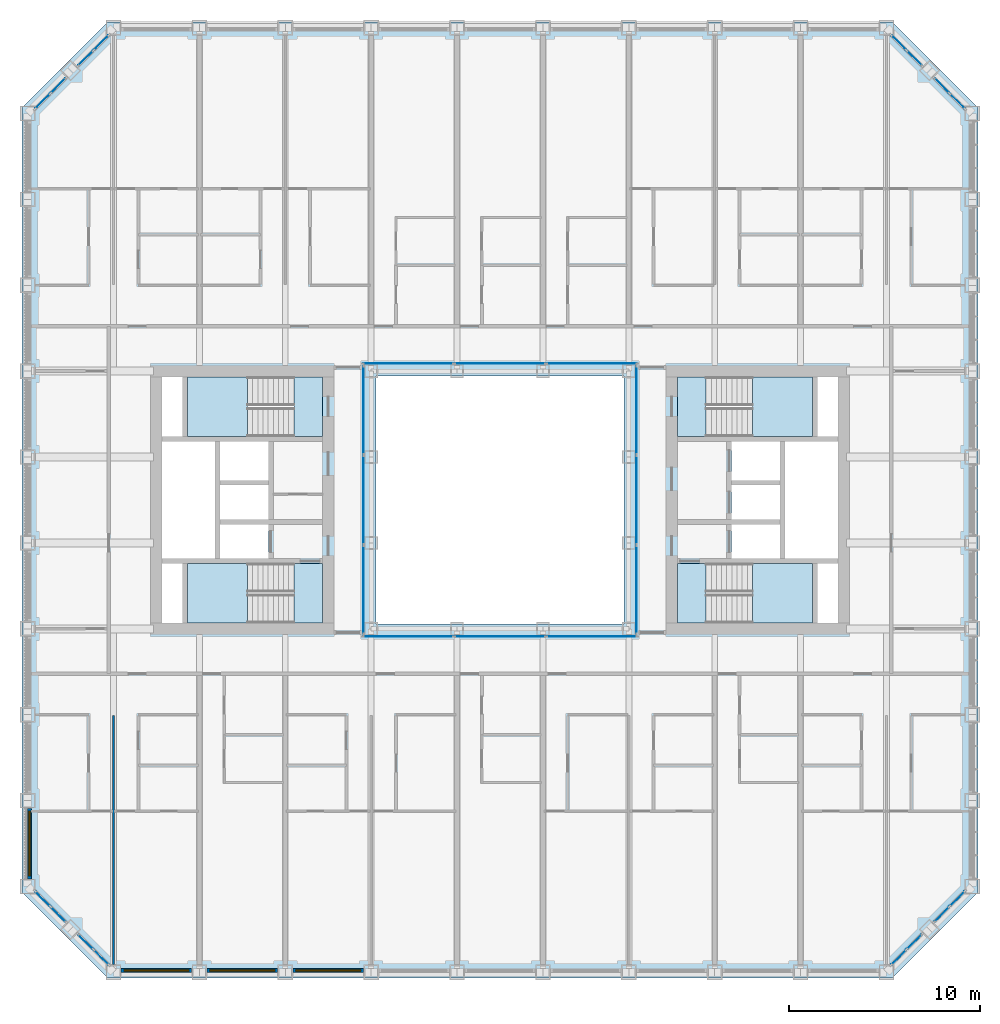
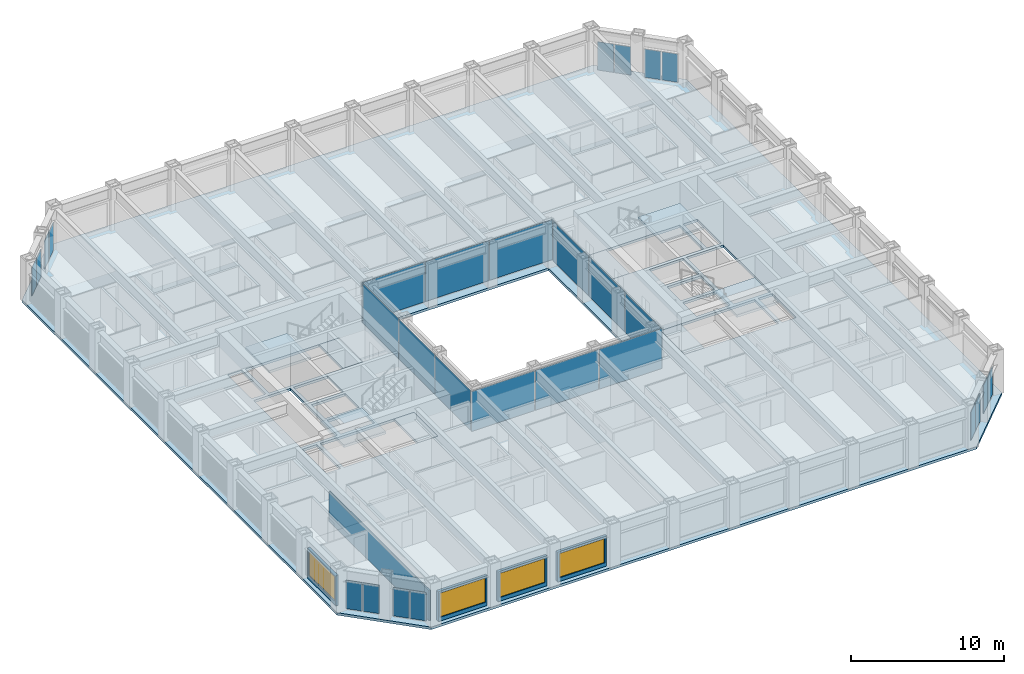
# One storey, part 8 of 21: 28 plates, 9 slabs, 5 walls, 4 windows, 4 openings, 16 elements without a shape of their own.
"""IFC4 building model written with IfcOpenShell, lengths in metres."""

import ifcopenshell
import ifcopenshell.guid

model = None  # the IFC model being written
_history = None  # IfcOwnerHistory: only IFC2X3 demands one
_inside = {}  # id of a spatial element -> (the spatial element, [elements in it])
_under = {}  # id of a project, library or spatial element -> (it, [spatial elements below it])
_declared = {}  # id of a project -> (the project, [libraries it declares])
_typed = {}  # id of a type object -> (the type object, [elements of that type])
_made_of = {}  # id of a material, layer set ... -> (it, [elements and type objects made of it])


def new_model(schema):
    """Start an empty IFC model of exactly this schema.

    Asked for "IFC4X3", IfcOpenShell would pick the latest addendum, in which some entities
    have other attributes; the version numbers below select the first issue.
    IFC2X3 requires an IfcOwnerHistory on every rooted entity: one is made here for all.
    """
    global model, _history
    if schema == "IFC4X3":
        model = ifcopenshell.file(schema_version=(4, 3, 0, 0))
    else:
        model = ifcopenshell.file(schema=schema)
    _inside.clear()
    _under.clear()
    _declared.clear()
    _typed.clear()
    _made_of.clear()
    _history = None
    if model.schema == "IFC2X3":
        org = make("IfcOrganization", Name="unknown")
        user = make(
            "IfcPersonAndOrganization",
            ThePerson=make("IfcPerson", FamilyName="unknown"),
            TheOrganization=org,
        )
        app = make(
            "IfcApplication",
            ApplicationDeveloper=org,
            Version="unknown",
            ApplicationFullName="unknown",
            ApplicationIdentifier="unknown",
        )
        _history = make(
            "IfcOwnerHistory",
            OwningUser=user,
            OwningApplication=app,
            ChangeAction="ADDED",
            CreationDate=0,
        )
    return model


def make(cls, **values):
    """One entity of the class cls with the attributes given. An attribute that is None is left unset."""
    return model.create_entity(
        cls, **{name: value for name, value in values.items() if value is not None}
    )


def rooted(cls, **values):
    """An entity with a GlobalId (a new one), such as an element, a storey or a relation."""
    return make(cls, GlobalId=ifcopenshell.guid.new(), OwnerHistory=_history, **values)


def si_unit(unit_type, name, prefix=None):
    """IfcSIUnit, for example si_unit("LENGTHUNIT", "METRE", prefix="MILLI")."""
    return make("IfcSIUnit", UnitType=unit_type, Prefix=prefix, Name=name)


def assignment(units):
    """IfcUnitAssignment: the units of a project."""
    return None if units is None else make("IfcUnitAssignment", Units=units)


def point(xyz):
    """IfcCartesianPoint."""
    return None if xyz is None else make("IfcCartesianPoint", Coordinates=xyz)


def direction(xyz):
    """IfcDirection."""
    return None if xyz is None else make("IfcDirection", DirectionRatios=xyz)


def frame(location, z_axis=None, x_axis=None):
    """IfcAxis2Placement3D, a coordinate frame: its origin and axes. An axis left out is left unset."""
    return make(
        "IfcAxis2Placement3D",
        Location=point(location),
        Axis=direction(z_axis),
        RefDirection=direction(x_axis),
    )


def frame_2d(location, x_axis=None):
    """IfcAxis2Placement2D, a coordinate frame in the plane: its origin and x axis."""
    return make(
        "IfcAxis2Placement2D", Location=point(location), RefDirection=direction(x_axis)
    )


def origin():
    """The frame at (0, 0, 0) with its axes left unset."""
    return frame((0.0, 0.0, 0.0))


def origin_2d():
    """The frame at (0, 0) in the plane with its x axis left unset."""
    return frame_2d((0.0, 0.0))


def place(relative_to, where):
    """IfcLocalPlacement: puts the frame where relative to a parent placement (None: the world)."""
    return make(
        "IfcLocalPlacement", PlacementRelTo=relative_to, RelativePlacement=where
    )


def context(
    kind, dimensions, precision=None, world=None, true_north=None, identifier=None
):
    """IfcGeometricRepresentationContext, for example the 3D "Model" context."""
    return make(
        "IfcGeometricRepresentationContext",
        ContextIdentifier=identifier,
        ContextType=kind,
        CoordinateSpaceDimension=dimensions,
        Precision=precision,
        WorldCoordinateSystem=world,
        TrueNorth=true_north,
    )


def subcontext(parent, identifier, kind, view, scale=None):
    """IfcGeometricRepresentationSubContext, for example "Body" below "Model"."""
    return make(
        "IfcGeometricRepresentationSubContext",
        ContextIdentifier=identifier,
        ContextType=kind,
        ParentContext=parent,
        TargetScale=scale,
        TargetView=view,
    )


def project(units=None, contexts=None):
    """IfcProject with its units and contexts."""
    return rooted(
        "IfcProject",
        Name="project",
        RepresentationContexts=contexts,
        UnitsInContext=assignment(units),
    )


def spatial(cls, under=None, at=None, **own):
    """A site, building, storey or space (cls), placed at a placement, below another one or the project."""
    s = rooted(cls, ObjectPlacement=at, **own)
    if under is not None:
        _under.setdefault(under.id(), (under, []))[1].append(s)
    return s


def polyline(points):
    """IfcPolyline through the points."""
    return make("IfcPolyline", Points=[point(p) for p in points])


def profile(cls, at=None, kind="AREA", **sizes):
    """A parametric profile (cls). Its sizes go by their IFC names, for example OverallWidth=200.0."""
    return make(cls, ProfileType=kind, Position=at, **sizes)


def rectangle(**sizes):
    """IfcRectangleProfileDef."""
    return profile("IfcRectangleProfileDef", **sizes)


def outline(outer, holes=None, kind="AREA"):
    """IfcArbitraryClosedProfileDef: a profile drawn as a closed curve; with holes, ...WithVoids."""
    if holes is None:
        return make("IfcArbitraryClosedProfileDef", ProfileType=kind, OuterCurve=outer)
    return make(
        "IfcArbitraryProfileDefWithVoids",
        ProfileType=kind,
        OuterCurve=outer,
        InnerCurves=holes,
    )


def extrude(swept, where, along, depth):
    """IfcExtrudedAreaSolid: the profile swept, set in the frame where, extruded along a direction by depth."""
    return make(
        "IfcExtrudedAreaSolid",
        SweptArea=swept,
        Position=where,
        ExtrudedDirection=direction(along),
        Depth=depth,
    )


def shape(context_of_items, identifier, shape_type, items):
    """IfcShapeRepresentation: the items that make up one representation, for example the "Body"."""
    return make(
        "IfcShapeRepresentation",
        ContextOfItems=context_of_items,
        RepresentationIdentifier=identifier,
        RepresentationType=shape_type,
        Items=items,
    )


def material(Name=None, Category=None):
    """IfcMaterial."""
    return make("IfcMaterial", Name=Name, Category=Category)


def layer(
    of_material, thickness, ventilated=None, Name=None, Category=None, Priority=None
):
    """IfcMaterialLayer: one layer of a wall or slab, of a material (None: an air gap)."""
    return make(
        "IfcMaterialLayer",
        Material=of_material,
        LayerThickness=thickness,
        IsVentilated=ventilated,
        Name=Name,
        Category=Category,
        Priority=Priority,
    )


def layer_set(layers, Name=None):
    """IfcMaterialLayerSet."""
    return make("IfcMaterialLayerSet", MaterialLayers=layers, LayerSetName=Name)


def made_of(thing, what):
    """Note that an element or type object is made of a material, layer set ...; save() writes the relation."""
    if what is not None:
        _made_of.setdefault(what.id(), (what, []))[1].append(thing)
    return thing


def type_object(cls, material=None, **own):
    """A type object (cls), such as IfcWallType, which elements share."""
    return made_of(rooted(cls, **own), material)


def element(
    cls,
    number,
    at=None,
    inside=None,
    cuts=None,
    type_object=None,
    material=None,
    context=None,
    identifier="Body",
    shape_type=None,
    held_by="IfcProductDefinitionShape",
    body=None,
    shapes=None,
    **own,
):
    """One element of the class cls, such as IfcWall. Its Tag is "e" and its number.

    at: its placement. inside: the storey or other place that contains it. cuts: it is an
    opening in that element (IfcRelVoidsElement). A single representation is given by context,
    identifier, shape_type and body (its items); several are given by shapes. held_by: the class
    of the entity that holds the representations. save() writes the other relations.
    """
    e = rooted(cls, Tag="e%d" % number, ObjectPlacement=at, **own)
    if body is not None:
        shapes = [shape(context, identifier, shape_type, body)]
    if shapes is not None:
        e.Representation = make(held_by, Representations=shapes)
    if inside is not None:
        _inside.setdefault(inside.id(), (inside, []))[1].append(e)
    if cuts is not None:
        rooted(
            "IfcRelVoidsElement", RelatingBuildingElement=cuts, RelatedOpeningElement=e
        )
    if type_object is not None:
        _typed.setdefault(type_object.id(), (type_object, []))[1].append(e)
    return made_of(e, material)


def fill(opening, filler):
    """IfcRelFillsElement: the door or window that sits in an opening."""
    return rooted(
        "IfcRelFillsElement",
        RelatingOpeningElement=opening,
        RelatedBuildingElement=filler,
    )


def aggregate(whole, parts):
    """IfcRelAggregates: a whole, such as a stair, and the parts it consists of."""
    return rooted("IfcRelAggregates", RelatingObject=whole, RelatedObjects=parts)


def save(model, path):
    """Write the relations noted so far, then the file.

    IfcRelAggregates (storeys below a building ...), IfcRelContainedInSpatialStructure (elements
    in a storey), IfcRelDefinesByType, IfcRelAssociatesMaterial and IfcRelDeclares: one each for
    every whole, place, type object, material and project.
    """
    for whole, parts in _under.values():
        aggregate(whole, parts)
    for where, things in _inside.values():
        rooted(
            "IfcRelContainedInSpatialStructure",
            RelatedElements=things,
            RelatingStructure=where,
        )
    for kind, things in _typed.values():
        rooted("IfcRelDefinesByType", RelatedObjects=things, RelatingType=kind)
    for what, things in _made_of.values():
        rooted("IfcRelAssociatesMaterial", RelatedObjects=things, RelatingMaterial=what)
    for by, libraries in _declared.values():
        rooted("IfcRelDeclares", RelatingContext=by, RelatedDefinitions=libraries)
    model.write(path)


model = new_model("IFC4")

# Units and contexts
model_context = context("Model", 3, precision=1e-05, world=origin(), true_north=direction((0.0, 1.0)))
body_context = subcontext(model_context, "Body", "Model", "MODEL_VIEW")
ifc_project = project(units=[si_unit("LENGTHUNIT", "METRE"), si_unit("AREAUNIT", "SQUARE_METRE"), si_unit("VOLUMEUNIT", "CUBIC_METRE"), si_unit("PLANEANGLEUNIT", "RADIAN"), si_unit("MASSUNIT", "GRAM", prefix="KILO")], contexts=[model_context])

# Site, building, storey
site_placement = place(None, origin())
site = spatial("IfcSite", under=ifc_project, at=site_placement, CompositionType="ELEMENT")
building_placement = place(site_placement, origin())
building = spatial("IfcBuilding", under=site, at=building_placement, Name="Msasa Ring Tower", CompositionType="ELEMENT")
storey_placement = place(building_placement, frame((0.0, 0.0, 40.5)))
storey = spatial("IfcBuildingStorey", under=building, at=storey_placement, Name="L09", CompositionType="ELEMENT", Elevation=40.5)

# Curtain wall, plates
ifc_material_1 = material(Name="Aluminium curtain wall with clear glass", Category="aluminium")
curtain_wall_type_1 = type_object("IfcCurtainWallType", Name="CW-C CHAMFER CORNER CURTAIN WALL", PredefinedType="NOTDEFINED", material=ifc_material_1)
curtain_wall_1_placement = place(storey_placement, origin())
curtain_wall_1 = element("IfcCurtainWall", 1, at=curtain_wall_1_placement, inside=storey, type_object=curtain_wall_type_1, Name="Chamfer corner curtain wall SE L09", PredefinedType="NOTDEFINED")
ifc_material_2 = material(Name="Clear laminated insulating glass unit", Category="glass")
ifc_layer_1 = layer(ifc_material_2, 0.031982421875)
ifc_layer_set_1 = layer_set([ifc_layer_1], Name="CW-C GLASS PANEL 32")
plate_type_1 = type_object("IfcPlateType", Name="CW-C GLASS PANEL 32", PredefinedType="CURTAIN_PANEL", material=ifc_layer_set_1)
plate_1_placement = place(storey_placement, frame((20.896484375, -23.962158203125, 0.06494140625), z_axis=(0.0, 0.0, 1.0), x_axis=(0.707106781187, 0.707106781187, 0.0)))
plate_1 = element("IfcPlate", 2, at=plate_1_placement, type_object=plate_type_1, Name="CW-C panel 1.1", PredefinedType="CURTAIN_PANEL", context=body_context, shape_type="SweptSolid", body=[
    extrude(rectangle(XDim=1.08837890625, YDim=0.031982421875, at=origin_2d()), origin(), (0.0, 0.0, 1.0), 2.2490234375),
])
plate_2_placement = place(storey_placement, frame((21.712158203125, -23.146484375, 0.06494140625), z_axis=(0.0, 0.0, 1.0), x_axis=(0.707106781187, 0.707106781187, 0.0)))
plate_2 = element("IfcPlate", 3, at=plate_2_placement, type_object=plate_type_1, Name="CW-C panel 2.1", PredefinedType="CURTAIN_PANEL", context=body_context, shape_type="SweptSolid", body=[
    extrude(rectangle(XDim=1.08837890625, YDim=0.031982421875, at=origin_2d()), origin(), (0.0, 0.0, 1.0), 2.2490234375),
])
aggregate(curtain_wall_1, [plate_1, plate_2])

curtain_wall_2_placement = place(storey_placement, origin())
curtain_wall_2 = element("IfcCurtainWall", 4, at=curtain_wall_2_placement, inside=storey, type_object=curtain_wall_type_1, Name="Chamfer corner curtain wall SE L09", PredefinedType="NOTDEFINED")
plate_3_placement = place(storey_placement, frame((23.146484375, -21.712158203125, 0.06494140625), z_axis=(0.0, 0.0, 1.0), x_axis=(0.707106781187, 0.707106781187, 0.0)))
plate_3 = element("IfcPlate", 5, at=plate_3_placement, type_object=plate_type_1, Name="CW-C panel 1.1", PredefinedType="CURTAIN_PANEL", context=body_context, shape_type="SweptSolid", body=[
    extrude(rectangle(XDim=1.08837890625, YDim=0.031982421875, at=origin_2d()), origin(), (0.0, 0.0, 1.0), 2.2490234375),
])
plate_4_placement = place(storey_placement, frame((23.962158203125, -20.896484375, 0.06494140625), z_axis=(0.0, 0.0, 1.0), x_axis=(0.707106781187, 0.707106781187, 0.0)))
plate_4 = element("IfcPlate", 6, at=plate_4_placement, type_object=plate_type_1, Name="CW-C panel 2.1", PredefinedType="CURTAIN_PANEL", context=body_context, shape_type="SweptSolid", body=[
    extrude(rectangle(XDim=1.08837890625, YDim=0.031982421875, at=origin_2d()), origin(), (0.0, 0.0, 1.0), 2.2490234375),
])
aggregate(curtain_wall_2, [plate_3, plate_4])

curtain_wall_3_placement = place(storey_placement, origin())
curtain_wall_3 = element("IfcCurtainWall", 7, at=curtain_wall_3_placement, inside=storey, type_object=curtain_wall_type_1, Name="Chamfer corner curtain wall NE L09", PredefinedType="NOTDEFINED")
plate_5_placement = place(storey_placement, frame((21.712158203125, 23.146484375, 0.06494140625), z_axis=(0.0, 0.0, 1.0), x_axis=(-0.707106781187, 0.707106781187, 0.0)))
plate_5 = element("IfcPlate", 8, at=plate_5_placement, type_object=plate_type_1, Name="CW-C panel 1.1", PredefinedType="CURTAIN_PANEL", context=body_context, shape_type="SweptSolid", body=[
    extrude(rectangle(XDim=1.08837890625, YDim=0.031982421875, at=origin_2d()), origin(), (0.0, 0.0, 1.0), 2.2490234375),
])
plate_6_placement = place(storey_placement, frame((20.896484375, 23.962158203125, 0.06494140625), z_axis=(0.0, 0.0, 1.0), x_axis=(-0.707106781187, 0.707106781187, 0.0)))
plate_6 = element("IfcPlate", 9, at=plate_6_placement, type_object=plate_type_1, Name="CW-C panel 2.1", PredefinedType="CURTAIN_PANEL", context=body_context, shape_type="SweptSolid", body=[
    extrude(rectangle(XDim=1.08837890625, YDim=0.031982421875, at=origin_2d()), origin(), (0.0, 0.0, 1.0), 2.2490234375),
])
aggregate(curtain_wall_3, [plate_5, plate_6])

curtain_wall_4_placement = place(storey_placement, origin())
curtain_wall_4 = element("IfcCurtainWall", 10, at=curtain_wall_4_placement, inside=storey, type_object=curtain_wall_type_1, Name="Chamfer corner curtain wall NE L09", PredefinedType="NOTDEFINED")
plate_7_placement = place(storey_placement, frame((23.962158203125, 20.896484375, 0.06494140625), z_axis=(0.0, 0.0, 1.0), x_axis=(-0.707106781187, 0.707106781187, 0.0)))
plate_7 = element("IfcPlate", 11, at=plate_7_placement, type_object=plate_type_1, Name="CW-C panel 1.1", PredefinedType="CURTAIN_PANEL", context=body_context, shape_type="SweptSolid", body=[
    extrude(rectangle(XDim=1.08837890625, YDim=0.031982421875, at=origin_2d()), origin(), (0.0, 0.0, 1.0), 2.2490234375),
])
plate_8_placement = place(storey_placement, frame((23.146484375, 21.712158203125, 0.06494140625), z_axis=(0.0, 0.0, 1.0), x_axis=(-0.707106781187, 0.707106781187, 0.0)))
plate_8 = element("IfcPlate", 12, at=plate_8_placement, type_object=plate_type_1, Name="CW-C panel 2.1", PredefinedType="CURTAIN_PANEL", context=body_context, shape_type="SweptSolid", body=[
    extrude(rectangle(XDim=1.08837890625, YDim=0.031982421875, at=origin_2d()), origin(), (0.0, 0.0, 1.0), 2.2490234375),
])
aggregate(curtain_wall_4, [plate_7, plate_8])

curtain_wall_5_placement = place(storey_placement, origin())
curtain_wall_5 = element("IfcCurtainWall", 13, at=curtain_wall_5_placement, inside=storey, type_object=curtain_wall_type_1, Name="Chamfer corner curtain wall NW L09", PredefinedType="NOTDEFINED")
plate_9_placement = place(storey_placement, frame((-23.146484375, 21.712158203125, 0.06494140625), z_axis=(0.0, 0.0, 1.0), x_axis=(-0.707106781187, -0.707106781187, 0.0)))
plate_9 = element("IfcPlate", 14, at=plate_9_placement, type_object=plate_type_1, Name="CW-C panel 1.1", PredefinedType="CURTAIN_PANEL", context=body_context, shape_type="SweptSolid", body=[
    extrude(rectangle(XDim=1.08837890625, YDim=0.031982421875, at=origin_2d()), origin(), (0.0, 0.0, 1.0), 2.2490234375),
])
plate_10_placement = place(storey_placement, frame((-23.962158203125, 20.896484375, 0.06494140625), z_axis=(0.0, 0.0, 1.0), x_axis=(-0.707106781187, -0.707106781187, 0.0)))
plate_10 = element("IfcPlate", 15, at=plate_10_placement, type_object=plate_type_1, Name="CW-C panel 2.1", PredefinedType="CURTAIN_PANEL", context=body_context, shape_type="SweptSolid", body=[
    extrude(rectangle(XDim=1.08837890625, YDim=0.031982421875, at=origin_2d()), origin(), (0.0, 0.0, 1.0), 2.2490234375),
])
aggregate(curtain_wall_5, [plate_9, plate_10])

curtain_wall_6_placement = place(storey_placement, origin())
curtain_wall_6 = element("IfcCurtainWall", 16, at=curtain_wall_6_placement, inside=storey, type_object=curtain_wall_type_1, Name="Chamfer corner curtain wall NW L09", PredefinedType="NOTDEFINED")
plate_11_placement = place(storey_placement, frame((-20.896484375, 23.962158203125, 0.06494140625), z_axis=(0.0, 0.0, 1.0), x_axis=(-0.707106781187, -0.707106781187, 0.0)))
plate_11 = element("IfcPlate", 17, at=plate_11_placement, type_object=plate_type_1, Name="CW-C panel 1.1", PredefinedType="CURTAIN_PANEL", context=body_context, shape_type="SweptSolid", body=[
    extrude(rectangle(XDim=1.08837890625, YDim=0.031982421875, at=origin_2d()), origin(), (0.0, 0.0, 1.0), 2.2490234375),
])
plate_12_placement = place(storey_placement, frame((-21.712158203125, 23.146484375, 0.06494140625), z_axis=(0.0, 0.0, 1.0), x_axis=(-0.707106781187, -0.707106781187, 0.0)))
plate_12 = element("IfcPlate", 18, at=plate_12_placement, type_object=plate_type_1, Name="CW-C panel 2.1", PredefinedType="CURTAIN_PANEL", context=body_context, shape_type="SweptSolid", body=[
    extrude(rectangle(XDim=1.08837890625, YDim=0.031982421875, at=origin_2d()), origin(), (0.0, 0.0, 1.0), 2.2490234375),
])
aggregate(curtain_wall_6, [plate_11, plate_12])

curtain_wall_7_placement = place(storey_placement, origin())
curtain_wall_7 = element("IfcCurtainWall", 19, at=curtain_wall_7_placement, inside=storey, type_object=curtain_wall_type_1, Name="Chamfer corner curtain wall SW L09", PredefinedType="NOTDEFINED")
plate_13_placement = place(storey_placement, frame((-23.962158203125, -20.896484375, 0.06494140625), z_axis=(0.0, 0.0, 1.0), x_axis=(0.707106781187, -0.707106781187, 0.0)))
plate_13 = element("IfcPlate", 20, at=plate_13_placement, type_object=plate_type_1, Name="CW-C panel 1.1", PredefinedType="CURTAIN_PANEL", context=body_context, shape_type="SweptSolid", body=[
    extrude(rectangle(XDim=1.08837890625, YDim=0.031982421875, at=origin_2d()), origin(), (0.0, 0.0, 1.0), 2.2490234375),
])
plate_14_placement = place(storey_placement, frame((-23.146484375, -21.712158203125, 0.06494140625), z_axis=(0.0, 0.0, 1.0), x_axis=(0.707106781187, -0.707106781187, 0.0)))
plate_14 = element("IfcPlate", 21, at=plate_14_placement, type_object=plate_type_1, Name="CW-C panel 2.1", PredefinedType="CURTAIN_PANEL", context=body_context, shape_type="SweptSolid", body=[
    extrude(rectangle(XDim=1.08837890625, YDim=0.031982421875, at=origin_2d()), origin(), (0.0, 0.0, 1.0), 2.2490234375),
])
aggregate(curtain_wall_7, [plate_13, plate_14])

curtain_wall_8_placement = place(storey_placement, origin())
curtain_wall_8 = element("IfcCurtainWall", 22, at=curtain_wall_8_placement, inside=storey, type_object=curtain_wall_type_1, Name="Chamfer corner curtain wall SW L09", PredefinedType="NOTDEFINED")
plate_15_placement = place(storey_placement, frame((-21.712158203125, -23.146484375, 0.06494140625), z_axis=(0.0, 0.0, 1.0), x_axis=(0.707106781187, -0.707106781187, 0.0)))
plate_15 = element("IfcPlate", 23, at=plate_15_placement, type_object=plate_type_1, Name="CW-C panel 1.1", PredefinedType="CURTAIN_PANEL", context=body_context, shape_type="SweptSolid", body=[
    extrude(rectangle(XDim=1.08837890625, YDim=0.031982421875, at=origin_2d()), origin(), (0.0, 0.0, 1.0), 2.2490234375),
])
plate_16_placement = place(storey_placement, frame((-20.896484375, -23.962158203125, 0.06494140625), z_axis=(0.0, 0.0, 1.0), x_axis=(0.707106781187, -0.707106781187, 0.0)))
plate_16 = element("IfcPlate", 24, at=plate_16_placement, type_object=plate_type_1, Name="CW-C panel 2.1", PredefinedType="CURTAIN_PANEL", context=body_context, shape_type="SweptSolid", body=[
    extrude(rectangle(XDim=1.08837890625, YDim=0.031982421875, at=origin_2d()), origin(), (0.0, 0.0, 1.0), 2.2490234375),
])
aggregate(curtain_wall_8, [plate_15, plate_16])

ifc_material_3 = material(Name="Aluminium curtain wall with clear glass", Category="aluminium")
curtain_wall_type_2 = type_object("IfcCurtainWallType", Name="CW-W LIGHT WELL CURTAIN WALL", PredefinedType="NOTDEFINED", material=ifc_material_3)
curtain_wall_9_placement = place(storey_placement, origin())
curtain_wall_9 = element("IfcCurtainWall", 25, at=curtain_wall_9_placement, inside=storey, type_object=curtain_wall_type_2, Name="Light well curtain wall N L09", PredefinedType="NOTDEFINED")
ifc_material_4 = material(Name="Clear laminated insulating glass unit", Category="glass")
ifc_layer_2 = layer(ifc_material_4, 0.028076171875)
ifc_layer_set_2 = layer_set([ifc_layer_2], Name="CW-W GLASS PANEL 28")
plate_type_2 = type_object("IfcPlateType", Name="CW-W GLASS PANEL 28", PredefinedType="CURTAIN_PANEL", material=ifc_layer_set_2)
plate_17_placement = place(storey_placement, frame((-4.804931640625, 7.14990234375, 0.06005859375), z_axis=(0.0, 0.0, 1.0), x_axis=(1.0, 0.0, 0.0)))
plate_17 = element("IfcPlate", 26, at=plate_17_placement, type_object=plate_type_2, Name="CW-W panel 1.1", PredefinedType="CURTAIN_PANEL", context=body_context, shape_type="SweptSolid", body=[
    extrude(rectangle(XDim=4.72998046875, YDim=0.028076171875, at=origin_2d()), origin(), (0.0, 0.0, 1.0), 3.179931640625),
])
plate_18_placement = place(storey_placement, frame((0.0, 7.14990234375, 0.06005859375), z_axis=(0.0, 0.0, 1.0), x_axis=(1.0, 0.0, 0.0)))
plate_18 = element("IfcPlate", 27, at=plate_18_placement, type_object=plate_type_2, Name="CW-W panel 2.1", PredefinedType="CURTAIN_PANEL", context=body_context, shape_type="SweptSolid", body=[
    extrude(rectangle(XDim=4.760009765625, YDim=0.028076171875, at=origin_2d()), origin(), (0.0, 0.0, 1.0), 3.179931640625),
])
plate_19_placement = place(storey_placement, frame((4.804931640625, 7.14990234375, 0.06005859375), z_axis=(0.0, 0.0, 1.0), x_axis=(1.0, 0.0, 0.0)))
plate_19 = element("IfcPlate", 28, at=plate_19_placement, type_object=plate_type_2, Name="CW-W panel 3.1", PredefinedType="CURTAIN_PANEL", context=body_context, shape_type="SweptSolid", body=[
    extrude(rectangle(XDim=4.72998046875, YDim=0.028076171875, at=origin_2d()), origin(), (0.0, 0.0, 1.0), 3.179931640625),
])
aggregate(curtain_wall_9, [plate_17, plate_18, plate_19])

curtain_wall_10_placement = place(storey_placement, origin())
curtain_wall_10 = element("IfcCurtainWall", 29, at=curtain_wall_10_placement, inside=storey, type_object=curtain_wall_type_2, Name="Light well curtain wall S L09", PredefinedType="NOTDEFINED")
plate_20_placement = place(storey_placement, frame((-4.804931640625, -7.14990234375, 0.06005859375), z_axis=(0.0, 0.0, 1.0), x_axis=(1.0, 0.0, 0.0)))
plate_20 = element("IfcPlate", 30, at=plate_20_placement, type_object=plate_type_2, Name="CW-W panel 1.1", PredefinedType="CURTAIN_PANEL", context=body_context, shape_type="SweptSolid", body=[
    extrude(rectangle(XDim=4.72998046875, YDim=0.028076171875, at=origin_2d()), origin(), (0.0, 0.0, 1.0), 3.179931640625),
])
plate_21_placement = place(storey_placement, frame((0.0, -7.14990234375, 0.06005859375), z_axis=(0.0, 0.0, 1.0), x_axis=(1.0, 0.0, 0.0)))
plate_21 = element("IfcPlate", 31, at=plate_21_placement, type_object=plate_type_2, Name="CW-W panel 2.1", PredefinedType="CURTAIN_PANEL", context=body_context, shape_type="SweptSolid", body=[
    extrude(rectangle(XDim=4.760009765625, YDim=0.028076171875, at=origin_2d()), origin(), (0.0, 0.0, 1.0), 3.179931640625),
])
plate_22_placement = place(storey_placement, frame((4.804931640625, -7.14990234375, 0.06005859375), z_axis=(0.0, 0.0, 1.0), x_axis=(1.0, 0.0, 0.0)))
plate_22 = element("IfcPlate", 32, at=plate_22_placement, type_object=plate_type_2, Name="CW-W panel 3.1", PredefinedType="CURTAIN_PANEL", context=body_context, shape_type="SweptSolid", body=[
    extrude(rectangle(XDim=4.72998046875, YDim=0.028076171875, at=origin_2d()), origin(), (0.0, 0.0, 1.0), 3.179931640625),
])
aggregate(curtain_wall_10, [plate_20, plate_21, plate_22])

curtain_wall_11_placement = place(storey_placement, origin())
curtain_wall_11 = element("IfcCurtainWall", 33, at=curtain_wall_11_placement, inside=storey, type_object=curtain_wall_type_2, Name="Light well curtain wall E L09", PredefinedType="NOTDEFINED")
plate_23_placement = place(storey_placement, frame((7.14990234375, -4.6982421875, 0.06005859375), z_axis=(0.0, 0.0, 1.0), x_axis=(0.0, 1.0, 0.0)))
plate_23 = element("IfcPlate", 34, at=plate_23_placement, type_object=plate_type_2, Name="CW-W panel 1.1", PredefinedType="CURTAIN_PANEL", context=body_context, shape_type="SweptSolid", body=[
    extrude(rectangle(XDim=4.623291015625, YDim=0.028076171875, at=origin_2d()), origin(), (0.0, 0.0, 1.0), 3.179931640625),
])
plate_24_placement = place(storey_placement, frame((7.14990234375, 0.0, 0.06005859375), z_axis=(0.0, 0.0, 1.0), x_axis=(0.0, 1.0, 0.0)))
plate_24 = element("IfcPlate", 35, at=plate_24_placement, type_object=plate_type_2, Name="CW-W panel 2.1", PredefinedType="CURTAIN_PANEL", context=body_context, shape_type="SweptSolid", body=[
    extrude(rectangle(XDim=4.6533203125, YDim=0.028076171875, at=origin_2d()), origin(), (0.0, 0.0, 1.0), 3.179931640625),
])
plate_25_placement = place(storey_placement, frame((7.14990234375, 4.6982421875, 0.06005859375), z_axis=(0.0, 0.0, 1.0), x_axis=(0.0, 1.0, 0.0)))
plate_25 = element("IfcPlate", 36, at=plate_25_placement, type_object=plate_type_2, Name="CW-W panel 3.1", PredefinedType="CURTAIN_PANEL", context=body_context, shape_type="SweptSolid", body=[
    extrude(rectangle(XDim=4.623291015625, YDim=0.028076171875, at=origin_2d()), origin(), (0.0, 0.0, 1.0), 3.179931640625),
])
aggregate(curtain_wall_11, [plate_23, plate_24, plate_25])

curtain_wall_12_placement = place(storey_placement, origin())
curtain_wall_12 = element("IfcCurtainWall", 37, at=curtain_wall_12_placement, inside=storey, type_object=curtain_wall_type_2, Name="Light well curtain wall W L09", PredefinedType="NOTDEFINED")
plate_26_placement = place(storey_placement, frame((-7.14990234375, -4.6982421875, 0.06005859375), z_axis=(0.0, 0.0, 1.0), x_axis=(0.0, 1.0, 0.0)))
plate_26 = element("IfcPlate", 38, at=plate_26_placement, type_object=plate_type_2, Name="CW-W panel 1.1", PredefinedType="CURTAIN_PANEL", context=body_context, shape_type="SweptSolid", body=[
    extrude(rectangle(XDim=4.623291015625, YDim=0.028076171875, at=origin_2d()), origin(), (0.0, 0.0, 1.0), 3.179931640625),
])
plate_27_placement = place(storey_placement, frame((-7.14990234375, 0.0, 0.06005859375), z_axis=(0.0, 0.0, 1.0), x_axis=(0.0, 1.0, 0.0)))
plate_27 = element("IfcPlate", 39, at=plate_27_placement, type_object=plate_type_2, Name="CW-W panel 2.1", PredefinedType="CURTAIN_PANEL", context=body_context, shape_type="SweptSolid", body=[
    extrude(rectangle(XDim=4.6533203125, YDim=0.028076171875, at=origin_2d()), origin(), (0.0, 0.0, 1.0), 3.179931640625),
])
plate_28_placement = place(storey_placement, frame((-7.14990234375, 4.6982421875, 0.06005859375), z_axis=(0.0, 0.0, 1.0), x_axis=(0.0, 1.0, 0.0)))
plate_28 = element("IfcPlate", 40, at=plate_28_placement, type_object=plate_type_2, Name="CW-W panel 3.1", PredefinedType="CURTAIN_PANEL", context=body_context, shape_type="SweptSolid", body=[
    extrude(rectangle(XDim=4.623291015625, YDim=0.028076171875, at=origin_2d()), origin(), (0.0, 0.0, 1.0), 3.179931640625),
])
aggregate(curtain_wall_12, [plate_26, plate_27, plate_28])

# Stair, slabs
ifc_material_5 = material(Name="Concrete C40/50", Category="concrete")
stair_type = type_object("IfcStairType", Name="STC CORE STAIR 20 RISERS 175", PredefinedType="HALF_TURN_STAIR", material=ifc_material_5)
stair_1_placement = place(storey_placement, origin())
stair_1 = element("IfcStair", 41, at=stair_1_placement, inside=storey, type_object=stair_type, Name="Core stair SEA L09", PredefinedType="HALF_TURN_STAIR")
ifc_material_6 = material(Name="Concrete C40/50", Category="concrete")
ifc_layer_3 = layer(ifc_material_6, 0.199951171875)
ifc_layer_set_3 = layer_set([ifc_layer_3], Name="LD1 CORE STAIR LANDING 200")
slab_type_1 = type_object("IfcSlabType", Name="LD1 CORE STAIR LANDING 200", PredefinedType="LANDING", material=ifc_layer_set_3)
slab_1_placement = place(storey_placement, frame((0.0, 0.0, -0.199951171875)))
slab_1 = element("IfcSlab", 42, at=slab_1_placement, type_object=slab_type_1, Name="SEA landing 1", PredefinedType="LANDING", context=body_context, shape_type="SweptSolid", body=[
    extrude(outline(polyline([(9.300048828125, -6.449951171875), (10.800048828125, -6.449951171875), (10.800048828125, -3.324951171875), (9.300048828125, -3.324951171875), (9.300048828125, -6.449951171875)])), origin(), (0.0, 0.0, 1.0), 0.199951171875),
])
slab_2_placement = place(storey_placement, frame((0.0, 0.0, 1.550048828125)))
slab_2 = element("IfcSlab", 43, at=slab_2_placement, type_object=slab_type_1, Name="SEA landing 2", PredefinedType="LANDING", context=body_context, shape_type="SweptSolid", body=[
    extrude(outline(polyline([(13.22998046875, -6.449951171875), (16.375, -6.449951171875), (16.375, -3.324951171875), (13.22998046875, -3.324951171875), (13.22998046875, -6.449951171875)])), origin(), (0.0, 0.0, 1.0), 0.199951171875),
])
aggregate(stair_1, [slab_1, slab_2])

stair_2_placement = place(storey_placement, origin())
stair_2 = element("IfcStair", 44, at=stair_2_placement, inside=storey, type_object=stair_type, Name="Core stair SEB L09", PredefinedType="HALF_TURN_STAIR")
slab_3_placement = place(storey_placement, frame((0.0, 0.0, -0.199951171875)))
slab_3 = element("IfcSlab", 45, at=slab_3_placement, type_object=slab_type_1, Name="SEB landing 1", PredefinedType="LANDING", context=body_context, shape_type="SweptSolid", body=[
    extrude(outline(polyline([(9.300048828125, 3.324951171875), (10.800048828125, 3.324951171875), (10.800048828125, 6.449951171875), (9.300048828125, 6.449951171875), (9.300048828125, 3.324951171875)])), origin(), (0.0, 0.0, 1.0), 0.199951171875),
])
slab_4_placement = place(storey_placement, frame((0.0, 0.0, 1.550048828125)))
slab_4 = element("IfcSlab", 46, at=slab_4_placement, type_object=slab_type_1, Name="SEB landing 2", PredefinedType="LANDING", context=body_context, shape_type="SweptSolid", body=[
    extrude(outline(polyline([(13.22998046875, 3.324951171875), (16.375, 3.324951171875), (16.375, 6.449951171875), (13.22998046875, 6.449951171875), (13.22998046875, 3.324951171875)])), origin(), (0.0, 0.0, 1.0), 0.199951171875),
])
aggregate(stair_2, [slab_3, slab_4])

stair_3_placement = place(storey_placement, origin())
stair_3 = element("IfcStair", 47, at=stair_3_placement, inside=storey, type_object=stair_type, Name="Core stair SWA L09", PredefinedType="HALF_TURN_STAIR")
slab_5_placement = place(storey_placement, frame((0.0, 0.0, -0.199951171875)))
slab_5 = element("IfcSlab", 48, at=slab_5_placement, type_object=slab_type_1, Name="SWA landing 1", PredefinedType="LANDING", context=body_context, shape_type="SweptSolid", body=[
    extrude(outline(polyline([(-10.800048828125, -6.449951171875), (-9.300048828125, -6.449951171875), (-9.300048828125, -3.324951171875), (-10.800048828125, -3.324951171875), (-10.800048828125, -6.449951171875)])), origin(), (0.0, 0.0, 1.0), 0.199951171875),
])
slab_6_placement = place(storey_placement, frame((0.0, 0.0, 1.550048828125)))
slab_6 = element("IfcSlab", 49, at=slab_6_placement, type_object=slab_type_1, Name="SWA landing 2", PredefinedType="LANDING", context=body_context, shape_type="SweptSolid", body=[
    extrude(outline(polyline([(-16.375, -6.449951171875), (-13.22998046875, -6.449951171875), (-13.22998046875, -3.324951171875), (-16.375, -3.324951171875), (-16.375, -6.449951171875)])), origin(), (0.0, 0.0, 1.0), 0.199951171875),
])
aggregate(stair_3, [slab_5, slab_6])

stair_4_placement = place(storey_placement, origin())
stair_4 = element("IfcStair", 50, at=stair_4_placement, inside=storey, type_object=stair_type, Name="Core stair SWB L09", PredefinedType="HALF_TURN_STAIR")
slab_7_placement = place(storey_placement, frame((0.0, 0.0, -0.199951171875)))
slab_7 = element("IfcSlab", 51, at=slab_7_placement, type_object=slab_type_1, Name="SWB landing 1", PredefinedType="LANDING", context=body_context, shape_type="SweptSolid", body=[
    extrude(outline(polyline([(-10.800048828125, 3.324951171875), (-9.300048828125, 3.324951171875), (-9.300048828125, 6.449951171875), (-10.800048828125, 6.449951171875), (-10.800048828125, 3.324951171875)])), origin(), (0.0, 0.0, 1.0), 0.199951171875),
])
slab_8_placement = place(storey_placement, frame((0.0, 0.0, 1.550048828125)))
slab_8 = element("IfcSlab", 52, at=slab_8_placement, type_object=slab_type_1, Name="SWB landing 2", PredefinedType="LANDING", context=body_context, shape_type="SweptSolid", body=[
    extrude(outline(polyline([(-16.375, 3.324951171875), (-13.22998046875, 3.324951171875), (-13.22998046875, 6.449951171875), (-16.375, 6.449951171875), (-16.375, 3.324951171875)])), origin(), (0.0, 0.0, 1.0), 0.199951171875),
])
aggregate(stair_4, [slab_7, slab_8])

# Slab
ifc_material_7 = material(Name="Concrete C40/50", Category="concrete")
ifc_layer_4 = layer(ifc_material_7, 0.199951171875)
ifc_layer_set_4 = layer_set([ifc_layer_4], Name="S3 RESIDENCE FLOOR 200")
slab_type_2 = type_object("IfcSlabType", Name="S3 RESIDENCE FLOOR 200", PredefinedType="FLOOR", material=ifc_layer_set_4)
slab_9_placement = place(storey_placement, frame((0.0, 0.0, -0.199951171875)))
element("IfcSlab", 53, at=slab_9_placement, inside=storey, type_object=slab_type_2, Name="Floor slab L09", PredefinedType="FLOOR", context=body_context, shape_type="SweptSolid", body=[
    extrude(outline(polyline([(-20.550048828125, -25.050048828125), (20.550048828125, -25.050048828125), (25.050048828125, -20.550048828125), (25.050048828125, 20.550048828125), (20.550048828125, 25.050048828125), (-20.550048828125, 25.050048828125), (-25.050048828125, 20.550048828125), (-25.050048828125, -20.550048828125), (-20.550048828125, -25.050048828125)]), holes=[polyline([(-6.5, -6.5), (6.5, -6.5), (6.5, 6.5), (-6.5, 6.5), (-6.5, -6.5)]), polyline([(9.300048828125, -6.449951171875), (16.375, -6.449951171875), (16.375, -3.324951171875), (9.300048828125, -3.324951171875), (9.300048828125, -6.449951171875)]), polyline([(9.300048828125, 3.324951171875), (16.375, 3.324951171875), (16.375, 6.449951171875), (9.300048828125, 6.449951171875), (9.300048828125, 3.324951171875)]), polyline([(12.125, -3.074951171875), (14.675048828125, -3.074951171875), (14.675048828125, -1.27490234375), (12.125, -1.27490234375), (12.125, -3.074951171875)]), polyline([(12.125, -1.02490234375), (14.675048828125, -1.02490234375), (14.675048828125, 0.77490234375), (12.125, 0.77490234375), (12.125, -1.02490234375)]), polyline([(12.125, 1.02490234375), (14.675048828125, 1.02490234375), (14.675048828125, 3.074951171875), (12.125, 3.074951171875), (12.125, 1.02490234375)]), polyline([(16.625, -6.449951171875), (17.699951171875, -6.449951171875), (17.699951171875, -3.324951171875), (16.625, -3.324951171875), (16.625, -6.449951171875)]), polyline([(16.625, 3.324951171875), (17.699951171875, 3.324951171875), (17.699951171875, 6.449951171875), (16.625, 6.449951171875), (16.625, 3.324951171875)]), polyline([(14.925048828125, -3.074951171875), (17.699951171875, -3.074951171875), (17.699951171875, 3.074951171875), (14.925048828125, 3.074951171875), (14.925048828125, -3.074951171875)]), polyline([(-16.375, -6.449951171875), (-9.300048828125, -6.449951171875), (-9.300048828125, -3.324951171875), (-16.375, -3.324951171875), (-16.375, -6.449951171875)]), polyline([(-16.375, 3.324951171875), (-9.300048828125, 3.324951171875), (-9.300048828125, 6.449951171875), (-16.375, 6.449951171875), (-16.375, 3.324951171875)]), polyline([(-14.675048828125, -3.074951171875), (-12.125, -3.074951171875), (-12.125, -1.27490234375), (-14.675048828125, -1.27490234375), (-14.675048828125, -3.074951171875)]), polyline([(-14.675048828125, -1.02490234375), (-12.125, -1.02490234375), (-12.125, 0.77490234375), (-14.675048828125, 0.77490234375), (-14.675048828125, -1.02490234375)]), polyline([(-14.675048828125, 1.02490234375), (-12.125, 1.02490234375), (-12.125, 3.074951171875), (-14.675048828125, 3.074951171875), (-14.675048828125, 1.02490234375)]), polyline([(-17.699951171875, -6.449951171875), (-16.625, -6.449951171875), (-16.625, -3.324951171875), (-17.699951171875, -3.324951171875), (-17.699951171875, -6.449951171875)]), polyline([(-17.699951171875, 3.324951171875), (-16.625, 3.324951171875), (-16.625, 6.449951171875), (-17.699951171875, 6.449951171875), (-17.699951171875, 3.324951171875)]), polyline([(-17.699951171875, -3.074951171875), (-14.925048828125, -3.074951171875), (-14.925048828125, 3.074951171875), (-17.699951171875, 3.074951171875), (-17.699951171875, -3.074951171875)])]), origin(), (0.0, 0.0, 1.0), 0.199951171875),
])

# Wall, opening, window
ifc_material_8 = material(Name="Terracotta rainscreen on blockwork", Category="masonry")
ifc_layer_5 = layer(ifc_material_8, 0.199951171875)
ifc_layer_set_5 = layer_set([ifc_layer_5], Name="FW1 TERRACOTTA-LINED INFILL BAY WALL 200")
wall_type_1 = type_object("IfcWallType", Name="FW1 TERRACOTTA-LINED INFILL BAY WALL 200", PredefinedType="SOLIDWALL", material=ifc_layer_set_5)
wall_1_placement = place(storey_placement, frame((-19.844970703125, -24.64990234375, 0.0), z_axis=(0.0, 0.0, 1.0), x_axis=(1.0, 0.0, 0.0)))
wall_1 = element("IfcWall", 54, at=wall_1_placement, inside=storey, type_object=wall_type_1, Name="Infill bay wall S L09 00", PredefinedType="SOLIDWALL", context=body_context, shape_type="SweptSolid", body=[
    extrude(rectangle(XDim=3.68994140625, YDim=0.199951171875, at=frame_2d((1.844970703125, 0.0))), origin(), (0.0, 0.0, 1.0), 2.37890625),
])
opening_1_placement = place(wall_1_placement, frame((0.14501953125, 0.0, 0.300048828125)))
opening_1 = element("IfcOpeningElement", 55, at=opening_1_placement, cuts=wall_1, Name="Opening WN1", PredefinedType="OPENING", context=body_context, shape_type="SweptSolid", body=[
    extrude(rectangle(XDim=3.39990234375, YDim=1.928955078125, at=frame_2d((1.699951171875, 0.96435546875))), frame((0.0, 0.10986328125, 0.0), z_axis=(0.0, -1.0, 0.0), x_axis=(1.0, 0.0, 0.0)), (0.0, 0.0, 1.0), 0.219970703125),
])
ifc_material_9 = material(Name="Aluminium frame with clear glass", Category="aluminium")
window_type = type_object("IfcWindowType", Name="WN1 RESIDENCE WINDOW 3400x1929", PartitioningType="SINGLE_PANEL", PredefinedType="WINDOW", material=ifc_material_9)
window_1_placement = place(opening_1_placement, origin())
window_1 = element("IfcWindow", 56, at=window_1_placement, inside=storey, type_object=window_type, Name="Window S L09 00", OverallHeight=1.928955078125, OverallWidth=3.39990234375, PartitioningType="SINGLE_PANEL", PredefinedType="WINDOW", context=body_context, shape_type="SweptSolid", body=[
    extrude(rectangle(XDim=3.39990234375, YDim=1.928955078125, at=frame_2d((1.699951171875, 0.96435546875))), frame((0.0, 0.030029296875, 0.0), z_axis=(0.0, -1.0, 0.0), x_axis=(1.0, 0.0, 0.0)), (0.0, 0.0, 1.0), 0.06005859375),
])
fill(opening_1, window_1)

wall_2_placement = place(storey_placement, frame((-15.344970703125, -24.64990234375, 0.0), z_axis=(0.0, 0.0, 1.0), x_axis=(1.0, 0.0, 0.0)))
wall_2 = element("IfcWall", 57, at=wall_2_placement, inside=storey, type_object=wall_type_1, Name="Infill bay wall S L09 01", PredefinedType="SOLIDWALL", context=body_context, shape_type="SweptSolid", body=[
    extrude(rectangle(XDim=3.68994140625, YDim=0.199951171875, at=frame_2d((1.844970703125, 0.0))), origin(), (0.0, 0.0, 1.0), 2.37890625),
])
opening_2_placement = place(wall_2_placement, frame((0.14501953125, 0.0, 0.300048828125)))
opening_2 = element("IfcOpeningElement", 58, at=opening_2_placement, cuts=wall_2, Name="Opening WN1", PredefinedType="OPENING", context=body_context, shape_type="SweptSolid", body=[
    extrude(rectangle(XDim=3.39990234375, YDim=1.928955078125, at=frame_2d((1.699951171875, 0.96435546875))), frame((0.0, 0.10986328125, 0.0), z_axis=(0.0, -1.0, 0.0), x_axis=(1.0, 0.0, 0.0)), (0.0, 0.0, 1.0), 0.219970703125),
])
window_2_placement = place(opening_2_placement, origin())
window_2 = element("IfcWindow", 59, at=window_2_placement, inside=storey, type_object=window_type, Name="Window S L09 01", OverallHeight=1.928955078125, OverallWidth=3.39990234375, PartitioningType="SINGLE_PANEL", PredefinedType="WINDOW", context=body_context, shape_type="SweptSolid", body=[
    extrude(rectangle(XDim=3.39990234375, YDim=1.928955078125, at=frame_2d((1.699951171875, 0.96435546875))), frame((0.0, 0.030029296875, 0.0), z_axis=(0.0, -1.0, 0.0), x_axis=(1.0, 0.0, 0.0)), (0.0, 0.0, 1.0), 0.06005859375),
])
fill(opening_2, window_2)

wall_3_placement = place(storey_placement, frame((-10.844970703125, -24.64990234375, 0.0), z_axis=(0.0, 0.0, 1.0), x_axis=(1.0, 0.0, 0.0)))
wall_3 = element("IfcWall", 60, at=wall_3_placement, inside=storey, type_object=wall_type_1, Name="Infill bay wall S L09 02", PredefinedType="SOLIDWALL", context=body_context, shape_type="SweptSolid", body=[
    extrude(rectangle(XDim=3.68994140625, YDim=0.199951171875, at=frame_2d((1.844970703125, 0.0))), origin(), (0.0, 0.0, 1.0), 2.37890625),
])
opening_3_placement = place(wall_3_placement, frame((0.14501953125, 0.0, 0.300048828125)))
opening_3 = element("IfcOpeningElement", 61, at=opening_3_placement, cuts=wall_3, Name="Opening WN1", PredefinedType="OPENING", context=body_context, shape_type="SweptSolid", body=[
    extrude(rectangle(XDim=3.39990234375, YDim=1.928955078125, at=frame_2d((1.699951171875, 0.96435546875))), frame((0.0, 0.10986328125, 0.0), z_axis=(0.0, -1.0, 0.0), x_axis=(1.0, 0.0, 0.0)), (0.0, 0.0, 1.0), 0.219970703125),
])
window_3_placement = place(opening_3_placement, origin())
window_3 = element("IfcWindow", 62, at=window_3_placement, inside=storey, type_object=window_type, Name="Window S L09 02", OverallHeight=1.928955078125, OverallWidth=3.39990234375, PartitioningType="SINGLE_PANEL", PredefinedType="WINDOW", context=body_context, shape_type="SweptSolid", body=[
    extrude(rectangle(XDim=3.39990234375, YDim=1.928955078125, at=frame_2d((1.699951171875, 0.96435546875))), frame((0.0, 0.030029296875, 0.0), z_axis=(0.0, -1.0, 0.0), x_axis=(1.0, 0.0, 0.0)), (0.0, 0.0, 1.0), 0.06005859375),
])
fill(opening_3, window_3)

wall_4_placement = place(storey_placement, frame((-24.64990234375, -19.844970703125, 0.0), z_axis=(0.0, 0.0, 1.0), x_axis=(0.0, 1.0, 0.0)))
wall_4 = element("IfcWall", 63, at=wall_4_placement, inside=storey, type_object=wall_type_1, Name="Infill bay wall W L09 33", PredefinedType="SOLIDWALL", context=body_context, shape_type="SweptSolid", body=[
    extrude(rectangle(XDim=3.68994140625, YDim=0.199951171875, at=frame_2d((1.844970703125, 0.0))), origin(), (0.0, 0.0, 1.0), 2.37890625),
])
opening_4_placement = place(wall_4_placement, frame((0.14501953125, 0.0, 0.300048828125)))
opening_4 = element("IfcOpeningElement", 64, at=opening_4_placement, cuts=wall_4, Name="Opening WN1", PredefinedType="OPENING", context=body_context, shape_type="SweptSolid", body=[
    extrude(rectangle(XDim=3.39990234375, YDim=1.928955078125, at=frame_2d((1.699951171875, 0.96435546875))), frame((0.0, 0.10986328125, 0.0), z_axis=(0.0, -1.0, 0.0), x_axis=(1.0, 0.0, 0.0)), (0.0, 0.0, 1.0), 0.219970703125),
])
window_4_placement = place(opening_4_placement, origin())
window_4 = element("IfcWindow", 65, at=window_4_placement, inside=storey, type_object=window_type, Name="Window W L09 33", OverallHeight=1.928955078125, OverallWidth=3.39990234375, PartitioningType="SINGLE_PANEL", PredefinedType="WINDOW", context=body_context, shape_type="SweptSolid", body=[
    extrude(rectangle(XDim=3.39990234375, YDim=1.928955078125, at=frame_2d((1.699951171875, 0.96435546875))), frame((0.0, 0.030029296875, 0.0), z_axis=(0.0, -1.0, 0.0), x_axis=(1.0, 0.0, 0.0)), (0.0, 0.0, 1.0), 0.06005859375),
])
fill(opening_4, window_4)

# Wall
ifc_material_10 = material(Name="Gypsum board on steel studs", Category="steel")
ifc_layer_6 = layer(ifc_material_10, 0.10009765625)
ifc_layer_set_6 = layer_set([ifc_layer_6], Name="PT2 STUD PARTITION 100")
wall_type_2 = type_object("IfcWallType", Name="PT2 STUD PARTITION 100", PredefinedType="PARTITIONING", material=ifc_layer_set_6)
wall_5_placement = place(storey_placement, frame((-20.25, -24.35009765625, 0.0), z_axis=(0.0, 0.0, 1.0), x_axis=(0.0, 1.0, 0.0)))
element("IfcWall", 66, at=wall_5_placement, inside=storey, type_object=wall_type_2, Name="Partition L09-US00P1", PredefinedType="PARTITIONING", context=body_context, shape_type="SweptSolid", body=[
    extrude(rectangle(XDim=13.050048828125, YDim=0.10009765625, at=frame_2d((6.52490234375, 0.0))), origin(), (0.0, 0.0, 1.0), 2.373291015625),
])

save(model, "model.ifc")
